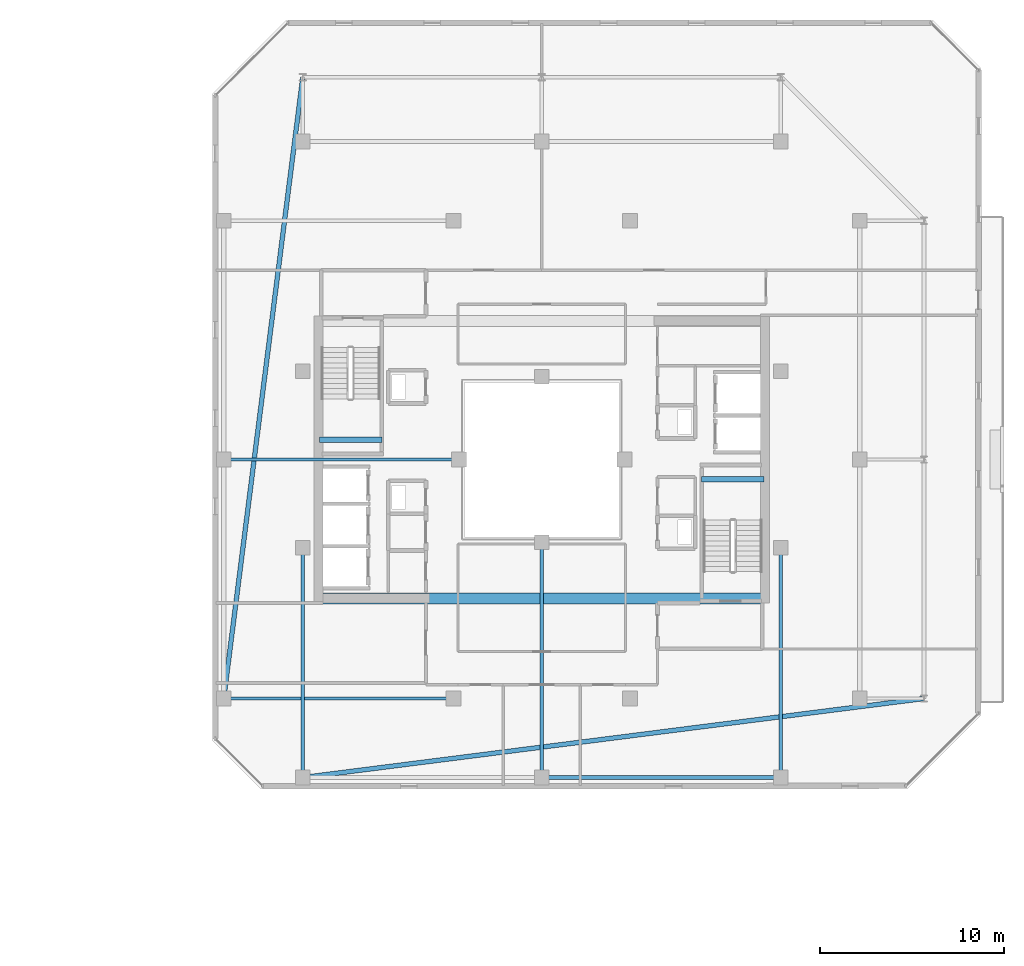
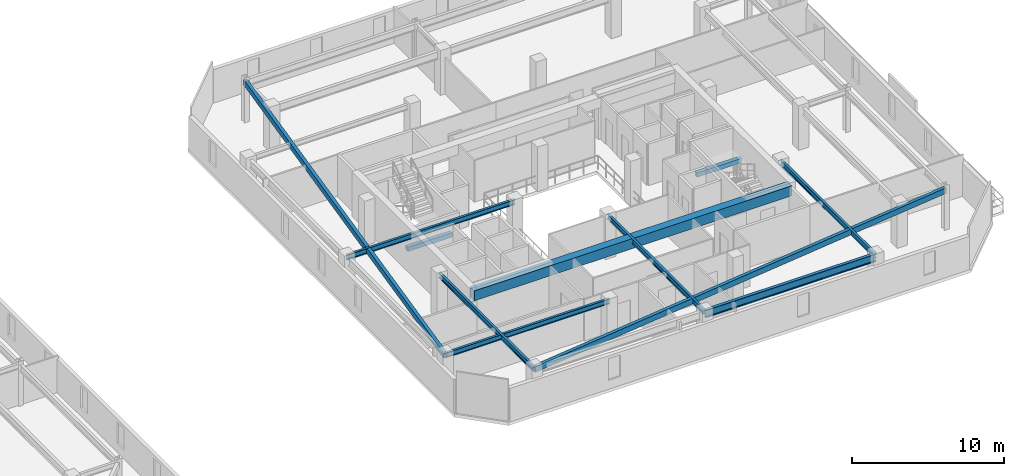
# One storey, part 15 of 34: 11 beams.
"""IFC4 building model written with IfcOpenShell, lengths in metres."""

from ifc_helpers import new_model, si_unit, direction, frame, origin, origin_2d, place, context, subcontext, project, spatial, rectangle, hollow_rectangle, i_section, extrude, material, material_profile, profile_set, type_object, element, save


model = new_model("IFC4")

# Units and contexts
model_context = context("Model", 3, precision=1e-05, world=origin(), true_north=direction((0.0, 1.0)))
body_context = subcontext(model_context, "Body", "Model", "MODEL_VIEW")
ifc_project = project(units=[si_unit("LENGTHUNIT", "METRE"), si_unit("AREAUNIT", "SQUARE_METRE"), si_unit("VOLUMEUNIT", "CUBIC_METRE"), si_unit("PLANEANGLEUNIT", "RADIAN"), si_unit("MASSUNIT", "GRAM", prefix="KILO")], contexts=[model_context])

# Site, building, storey
site_placement = place(None, origin())
site = spatial("IfcSite", under=ifc_project, at=site_placement, CompositionType="ELEMENT")
building_placement = place(site_placement, origin())
building = spatial("IfcBuilding", under=site, at=building_placement, Name="Thornwick Lancets Civic Towers", CompositionType="ELEMENT")
storey_placement = place(building_placement, frame((0.0, 0.0, 258.300048828125)))
storey = spatial("IfcBuildingStorey", under=building, at=storey_placement, Name="L69", CompositionType="ELEMENT", Elevation=258.300048828125)

# Beams
ifc_material_1 = material(Name="Concrete C60/75", Category="concrete")
ifc_material_profile_1 = material_profile(ifc_material_1, rectangle(XDim=0.60009765625, YDim=0.800048828125, at=origin_2d()), Name="RC 600x800")
ifc_profile_set_1 = profile_set([ifc_material_profile_1], Name="Concrete C60/75")
beam_type_1 = type_object("IfcBeamType", Name="BM_COUP_RC800", PredefinedType="BEAM", material=ifc_profile_set_1)
beam_1_placement = place(storey_placement, frame((76.39990234375, 19.449951171875, 2.9599609375), z_axis=(1.0, 0.0, 0.0), x_axis=(0.0, 1.0, 0.0)))
element("IfcBeam", 1, at=beam_1_placement, inside=storey, type_object=beam_type_1, Name="CB-L69-B2", PredefinedType="BEAM", context=body_context, shape_type="SweptSolid", body=[
    extrude(rectangle(XDim=0.60009765625, YDim=0.800048828125, at=origin_2d()), origin(), (0.0, 0.0, 1.0), 24.2001953125),
])
ifc_material_2 = material(Name="Steel S355JR", Category="steel")
ifc_material_profile_2 = material_profile(ifc_material_2, i_section(OverallWidth=0.230224609375, OverallDepth=0.6171875, WebThickness=0.01318359375, FlangeThickness=0.022216796875, FilletRadius=0.0126953125, at=origin_2d()), Name="UKB 610x229x140")
ifc_profile_set_2 = profile_set([ifc_material_profile_2], Name="Steel S355JR")
beam_type_2 = type_object("IfcBeamType", Name="BM_GIRD_610_140", PredefinedType="BEAM", material=ifc_profile_set_2)
beam_2_placement = place(storey_placement, frame((101.5, 9.699951171875, 3.05126953125), z_axis=(-1.0, 0.0, 0.0), x_axis=(0.0, -1.0, 0.0)))
element("IfcBeam", 2, at=beam_2_placement, inside=storey, type_object=beam_type_2, Name="BM-SPINE-L69-B-9-10", PredefinedType="BEAM", context=body_context, shape_type="SweptSolid", body=[
    extrude(i_section(OverallWidth=0.230224609375, OverallDepth=0.6171875, WebThickness=0.01318359375, FlangeThickness=0.022216796875, FilletRadius=0.0126953125, at=origin_2d()), origin(), (0.0, 0.0, 1.0), 13.0),
])
ifc_material_profile_3 = material_profile(ifc_material_2, i_section(OverallWidth=0.179443359375, OverallDepth=0.412841796875, WebThickness=0.009521484375, FlangeThickness=0.01611328125, FilletRadius=0.01025390625, at=origin_2d()), Name="UKB 406x178x74")
ifc_profile_set_3 = profile_set([ifc_material_profile_3], Name="Steel S355JR")
beam_type_3 = type_object("IfcBeamType", Name="BM_JOIST_406_74", PredefinedType="JOIST", material=ifc_profile_set_3)
beam_3_placement = place(storey_placement, frame((83.699951171875, 14.0, 3.153564453125), z_axis=(-1.0, 0.0, 0.0), x_axis=(0.0, -1.0, 0.0)))
element("IfcBeam", 3, at=beam_3_placement, inside=storey, type_object=beam_type_3, Name="BM-RADIN-L69-B07", PredefinedType="JOIST", context=body_context, shape_type="SweptSolid", body=[
    extrude(i_section(OverallWidth=0.179443359375, OverallDepth=0.412841796875, WebThickness=0.009521484375, FlangeThickness=0.01611328125, FilletRadius=0.01025390625, at=origin_2d()), origin(), (0.0, 0.0, 1.0), 12.5),
])
beam_4_placement = place(storey_placement, frame((84.0, 27.0, 3.153564453125), z_axis=(-1.0, 0.0, 0.0), x_axis=(0.0, -1.0, 0.0)))
element("IfcBeam", 4, at=beam_4_placement, inside=storey, type_object=beam_type_3, Name="BM-RADIN-L69-B08", PredefinedType="JOIST", context=body_context, shape_type="SweptSolid", body=[
    extrude(i_section(OverallWidth=0.179443359375, OverallDepth=0.412841796875, WebThickness=0.009521484375, FlangeThickness=0.01611328125, FilletRadius=0.01025390625, at=origin_2d()), origin(), (0.0, 0.0, 1.0), 12.800048828125),
])
beam_5_placement = place(storey_placement, frame((101.5, 22.199951171875, 3.153564453125), z_axis=(0.0, -1.0, 0.0), x_axis=(1.0, 0.0, 0.0)))
element("IfcBeam", 5, at=beam_5_placement, inside=storey, type_object=beam_type_3, Name="BM-RADIN-L69-B10", PredefinedType="JOIST", context=body_context, shape_type="SweptSolid", body=[
    extrude(i_section(OverallWidth=0.179443359375, OverallDepth=0.412841796875, WebThickness=0.009521484375, FlangeThickness=0.01611328125, FilletRadius=0.01025390625, at=origin_2d()), origin(), (0.0, 0.0, 1.0), 12.5),
])
beam_6_placement = place(storey_placement, frame((88.5, 22.5, 3.153564453125), z_axis=(0.0, -1.0, 0.0), x_axis=(1.0, 0.0, 0.0)))
element("IfcBeam", 6, at=beam_6_placement, inside=storey, type_object=beam_type_3, Name="BM-RADIN-L69-B11", PredefinedType="JOIST", context=body_context, shape_type="SweptSolid", body=[
    extrude(i_section(OverallWidth=0.179443359375, OverallDepth=0.412841796875, WebThickness=0.009521484375, FlangeThickness=0.01611328125, FilletRadius=0.01025390625, at=origin_2d()), origin(), (0.0, 0.0, 1.0), 12.800048828125),
])
beam_7_placement = place(storey_placement, frame((75.5, 22.199951171875, 3.153564453125), z_axis=(0.0, -1.0, 0.0), x_axis=(1.0, 0.0, 0.0)))
element("IfcBeam", 7, at=beam_7_placement, inside=storey, type_object=beam_type_3, Name="BM-RADIN-L69-B12", PredefinedType="JOIST", context=body_context, shape_type="SweptSolid", body=[
    extrude(i_section(OverallWidth=0.179443359375, OverallDepth=0.412841796875, WebThickness=0.009521484375, FlangeThickness=0.01611328125, FilletRadius=0.01025390625, at=origin_2d()), origin(), (0.0, 0.0, 1.0), 12.5),
])
ifc_material_profile_4 = material_profile(ifc_material_2, hollow_rectangle(XDim=0.25, YDim=0.449951171875, WallThickness=0.01611328125, at=origin_2d()), Name="RHS 450x250x16")
ifc_profile_set_4 = profile_set([ifc_material_profile_4], Name="Steel S355JR")
beam_type_4 = type_object("IfcBeamType", Name="BM_RING_RHS450", PredefinedType="BEAM", material=ifc_profile_set_4)
for number, where, z_axis, x_axis, name in (
    (8, (75.5, 47.800048828125, 3.135009765625), (-0.126202998662, -0.992004437051, 0.0), (0.992004437051, -0.126202998662, 0.0), "BM-CHAMF-L69-B-C1"),
    (9, (75.5, 9.699951171875, 3.135009765625), (0.992004437051, 0.126202998662, 0.0), (-0.126202998662, 0.992004437051, 0.0), "BM-CHAMF-L69-B-C3"),
):
    element("IfcBeam", number, at=place(storey_placement, frame(where, z_axis=z_axis, x_axis=x_axis)), inside=storey, type_object=beam_type_4, Name=name, PredefinedType="BEAM", context=body_context, shape_type="SweptSolid", body=[
        extrude(hollow_rectangle(XDim=0.25, YDim=0.449951171875, WallThickness=0.01611328125, at=origin_2d()), origin(), (0.0, 0.0, 1.0), 34.072509765625),
    ])
ifc_material_3 = material(Name="Concrete C40/50", Category="concrete")
ifc_material_profile_5 = material_profile(ifc_material_3, rectangle(XDim=0.300048828125, YDim=0.35009765625, at=origin_2d()), Name="RC 300x350")
ifc_profile_set_5 = profile_set([ifc_material_profile_5], Name="Concrete C40/50")
beam_type_5 = type_object("IfcBeamType", Name="BM_STAIR_LDG", PredefinedType="BEAM", material=ifc_profile_set_5)
for number, where, z_axis, x_axis, name in (
    (10, (100.60009765625, 25.93505859375, 1.3779296875), (-1.0, 0.0, 0.0), (0.0, -1.0, 0.0), "L69 ST-B1 Landing Support Beam 1"),
    (11, (76.39990234375, 28.06494140625, 1.3779296875), (1.0, 0.0, 0.0), (0.0, 1.0, 0.0), "L69 ST-B2 Landing Support Beam 1"),
):
    element("IfcBeam", number, at=place(storey_placement, frame(where, z_axis=z_axis, x_axis=x_axis)), inside=storey, type_object=beam_type_5, Name=name, PredefinedType="BEAM", context=body_context, shape_type="SweptSolid", body=[
        extrude(rectangle(XDim=0.300048828125, YDim=0.35009765625, at=origin_2d()), origin(), (0.0, 0.0, 1.0), 3.400146484375),
    ])

save(model, "model.ifc")
